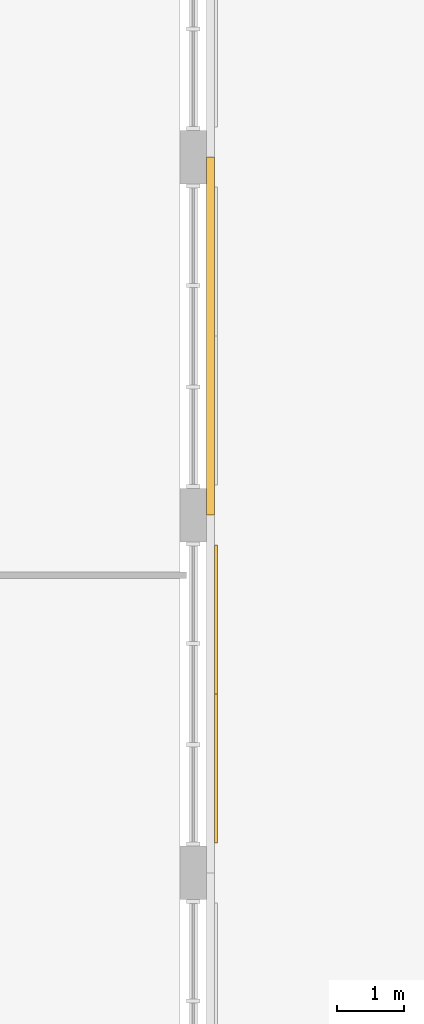
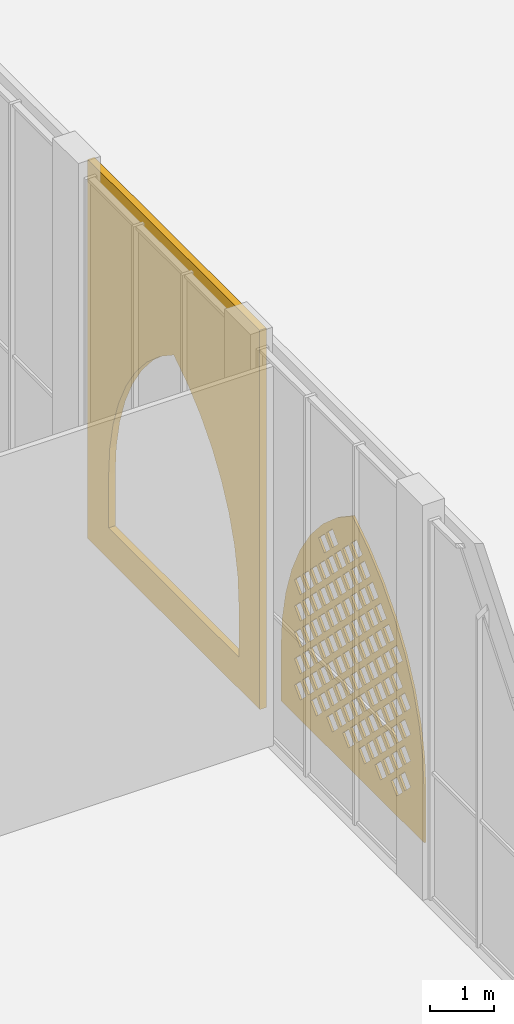
# One storey, part 68 of 79: 2 coverings.
"""IFC4 building model written with IfcOpenShell, lengths in metres."""

from ifc_helpers import new_model, si_unit, direction, frame, origin, place, context, subcontext, project, spatial, polyline, outline, extrude, material, layer, layer_set, type_object, element, save


model = new_model("IFC4")

# Units and contexts
model_context = context("Model", 3, precision=1e-05, world=origin(), true_north=direction((0.0, 1.0)))
body_context = subcontext(model_context, "Body", "Model", "MODEL_VIEW")
ifc_project = project(units=[si_unit("LENGTHUNIT", "METRE"), si_unit("AREAUNIT", "SQUARE_METRE"), si_unit("VOLUMEUNIT", "CUBIC_METRE"), si_unit("PLANEANGLEUNIT", "RADIAN"), si_unit("MASSUNIT", "GRAM", prefix="KILO")], contexts=[model_context])

# Site, building, storey
site_placement = place(None, origin())
site = spatial("IfcSite", under=ifc_project, at=site_placement, CompositionType="ELEMENT")
building_placement = place(site_placement, origin())
building = spatial("IfcBuilding", under=site, at=building_placement, Name="Noorbagh Ring Tower", CompositionType="ELEMENT")
storey_placement = place(building_placement, origin())
storey = spatial("IfcBuildingStorey", under=building, at=storey_placement, Name="L00", CompositionType="ELEMENT", Elevation=0.0)

# Coverings
ifc_material_1 = material(Name="Red sandstone jali", Category="masonry")
ifc_layer_1 = layer(ifc_material_1, 0.0400390625)
ifc_layer_set_1 = layer_set([ifc_layer_1], Name="Red sandstone jali")
covering_type_1 = type_object("IfcCoveringType", Name="STH-JALI", PredefinedType="USERDEFINED", material=ifc_layer_set_1)
covering_1_placement = place(storey_placement, frame((-94.840087890625, 14.800048828125, 0.39990234375), z_axis=(1.0, 0.0, 0.0), x_axis=(0.0, 1.0, 0.0)))
element("IfcCovering", 1, at=covering_1_placement, inside=storey, type_object=covering_type_1, Name="Jali screen", ObjectType="SCREEN", PredefinedType="USERDEFINED", context=body_context, shape_type="SweptSolid", body=[
    extrude(outline(polyline([(0.0, 0.0), (4.449951171875, 0.0), (4.449951171875, 1.0), (4.411865234375, 1.580810546875), (4.29833984375, 2.15185546875), (4.111328125, 2.702880859375), (3.853759765625, 3.22509765625), (3.5302734375, 3.708984375), (3.146484375, 4.146728515625), (2.708984375, 4.530517578125), (2.224853515625, 4.85400390625), (1.740966796875, 4.530517578125), (1.303466796875, 4.146728515625), (0.91943359375, 3.708984375), (0.59619140625, 3.22509765625), (0.338623046875, 2.702880859375), (0.151611328125, 2.15185546875), (0.0380859375, 1.580810546875), (0.0, 1.0), (0.0, 0.0)]), holes=[polyline([(0.669921875, 0.552001953125), (0.85009765625, 0.371826171875), (1.030029296875, 0.552001953125), (0.85009765625, 0.73193359375), (0.669921875, 0.552001953125)]), polyline([(1.169921875, 0.552001953125), (1.35009765625, 0.371826171875), (1.530029296875, 0.552001953125), (1.35009765625, 0.73193359375), (1.169921875, 0.552001953125)]), polyline([(1.669921875, 0.552001953125), (1.85009765625, 0.371826171875), (2.030029296875, 0.552001953125), (1.85009765625, 0.73193359375), (1.669921875, 0.552001953125)]), polyline([(2.169921875, 0.552001953125), (2.35009765625, 0.371826171875), (2.530029296875, 0.552001953125), (2.35009765625, 0.73193359375), (2.169921875, 0.552001953125)]), polyline([(2.669921875, 0.552001953125), (2.85009765625, 0.371826171875), (3.030029296875, 0.552001953125), (2.85009765625, 0.73193359375), (2.669921875, 0.552001953125)]), polyline([(3.169921875, 0.552001953125), (3.35009765625, 0.371826171875), (3.530029296875, 0.552001953125), (3.35009765625, 0.73193359375), (3.169921875, 0.552001953125)]), polyline([(3.669921875, 0.552001953125), (3.85009765625, 0.371826171875), (4.030029296875, 0.552001953125), (3.85009765625, 0.73193359375), (3.669921875, 0.552001953125)]), polyline([(0.419921875, 0.802001953125), (0.60009765625, 0.621826171875), (0.780029296875, 0.802001953125), (0.60009765625, 0.98193359375), (0.419921875, 0.802001953125)]), polyline([(0.919921875, 0.802001953125), (1.10009765625, 0.621826171875), (1.280029296875, 0.802001953125), (1.10009765625, 0.98193359375), (0.919921875, 0.802001953125)]), polyline([(1.419921875, 0.802001953125), (1.60009765625, 0.621826171875), (1.780029296875, 0.802001953125), (1.60009765625, 0.98193359375), (1.419921875, 0.802001953125)]), polyline([(1.919921875, 0.802001953125), (2.10009765625, 0.621826171875), (2.280029296875, 0.802001953125), (2.10009765625, 0.98193359375), (1.919921875, 0.802001953125)]), polyline([(2.419921875, 0.802001953125), (2.60009765625, 0.621826171875), (2.780029296875, 0.802001953125), (2.60009765625, 0.98193359375), (2.419921875, 0.802001953125)]), polyline([(2.919921875, 0.802001953125), (3.10009765625, 0.621826171875), (3.280029296875, 0.802001953125), (3.10009765625, 0.98193359375), (2.919921875, 0.802001953125)]), polyline([(3.419921875, 0.802001953125), (3.60009765625, 0.621826171875), (3.780029296875, 0.802001953125), (3.60009765625, 0.98193359375), (3.419921875, 0.802001953125)]), polyline([(0.669921875, 1.052001953125), (0.85009765625, 0.871826171875), (1.030029296875, 1.052001953125), (0.85009765625, 1.23193359375), (0.669921875, 1.052001953125)]), polyline([(1.169921875, 1.052001953125), (1.35009765625, 0.871826171875), (1.530029296875, 1.052001953125), (1.35009765625, 1.23193359375), (1.169921875, 1.052001953125)]), polyline([(1.669921875, 1.052001953125), (1.85009765625, 0.871826171875), (2.030029296875, 1.052001953125), (1.85009765625, 1.23193359375), (1.669921875, 1.052001953125)]), polyline([(2.169921875, 1.052001953125), (2.35009765625, 0.871826171875), (2.530029296875, 1.052001953125), (2.35009765625, 1.23193359375), (2.169921875, 1.052001953125)]), polyline([(2.669921875, 1.052001953125), (2.85009765625, 0.871826171875), (3.030029296875, 1.052001953125), (2.85009765625, 1.23193359375), (2.669921875, 1.052001953125)]), polyline([(3.169921875, 1.052001953125), (3.35009765625, 0.871826171875), (3.530029296875, 1.052001953125), (3.35009765625, 1.23193359375), (3.169921875, 1.052001953125)]), polyline([(3.669921875, 1.052001953125), (3.85009765625, 0.871826171875), (4.030029296875, 1.052001953125), (3.85009765625, 1.23193359375), (3.669921875, 1.052001953125)]), polyline([(0.419921875, 1.302001953125), (0.60009765625, 1.121826171875), (0.780029296875, 1.302001953125), (0.60009765625, 1.48193359375), (0.419921875, 1.302001953125)]), polyline([(0.919921875, 1.302001953125), (1.10009765625, 1.121826171875), (1.280029296875, 1.302001953125), (1.10009765625, 1.48193359375), (0.919921875, 1.302001953125)]), polyline([(1.419921875, 1.302001953125), (1.60009765625, 1.121826171875), (1.780029296875, 1.302001953125), (1.60009765625, 1.48193359375), (1.419921875, 1.302001953125)]), polyline([(1.919921875, 1.302001953125), (2.10009765625, 1.121826171875), (2.280029296875, 1.302001953125), (2.10009765625, 1.48193359375), (1.919921875, 1.302001953125)]), polyline([(2.419921875, 1.302001953125), (2.60009765625, 1.121826171875), (2.780029296875, 1.302001953125), (2.60009765625, 1.48193359375), (2.419921875, 1.302001953125)]), polyline([(2.919921875, 1.302001953125), (3.10009765625, 1.121826171875), (3.280029296875, 1.302001953125), (3.10009765625, 1.48193359375), (2.919921875, 1.302001953125)]), polyline([(3.419921875, 1.302001953125), (3.60009765625, 1.121826171875), (3.780029296875, 1.302001953125), (3.60009765625, 1.48193359375), (3.419921875, 1.302001953125)]), polyline([(0.669921875, 1.552001953125), (0.85009765625, 1.371826171875), (1.030029296875, 1.552001953125), (0.85009765625, 1.73193359375), (0.669921875, 1.552001953125)]), polyline([(1.169921875, 1.552001953125), (1.35009765625, 1.371826171875), (1.530029296875, 1.552001953125), (1.35009765625, 1.73193359375), (1.169921875, 1.552001953125)]), polyline([(1.669921875, 1.552001953125), (1.85009765625, 1.371826171875), (2.030029296875, 1.552001953125), (1.85009765625, 1.73193359375), (1.669921875, 1.552001953125)]), polyline([(2.169921875, 1.552001953125), (2.35009765625, 1.371826171875), (2.530029296875, 1.552001953125), (2.35009765625, 1.73193359375), (2.169921875, 1.552001953125)]), polyline([(2.669921875, 1.552001953125), (2.85009765625, 1.371826171875), (3.030029296875, 1.552001953125), (2.85009765625, 1.73193359375), (2.669921875, 1.552001953125)]), polyline([(3.169921875, 1.552001953125), (3.35009765625, 1.371826171875), (3.530029296875, 1.552001953125), (3.35009765625, 1.73193359375), (3.169921875, 1.552001953125)]), polyline([(3.669921875, 1.552001953125), (3.85009765625, 1.371826171875), (4.030029296875, 1.552001953125), (3.85009765625, 1.73193359375), (3.669921875, 1.552001953125)]), polyline([(0.419921875, 1.802001953125), (0.60009765625, 1.621826171875), (0.780029296875, 1.802001953125), (0.60009765625, 1.98193359375), (0.419921875, 1.802001953125)]), polyline([(0.919921875, 1.802001953125), (1.10009765625, 1.621826171875), (1.280029296875, 1.802001953125), (1.10009765625, 1.98193359375), (0.919921875, 1.802001953125)]), polyline([(1.419921875, 1.802001953125), (1.60009765625, 1.621826171875), (1.780029296875, 1.802001953125), (1.60009765625, 1.98193359375), (1.419921875, 1.802001953125)]), polyline([(1.919921875, 1.802001953125), (2.10009765625, 1.621826171875), (2.280029296875, 1.802001953125), (2.10009765625, 1.98193359375), (1.919921875, 1.802001953125)]), polyline([(2.419921875, 1.802001953125), (2.60009765625, 1.621826171875), (2.780029296875, 1.802001953125), (2.60009765625, 1.98193359375), (2.419921875, 1.802001953125)]), polyline([(2.919921875, 1.802001953125), (3.10009765625, 1.621826171875), (3.280029296875, 1.802001953125), (3.10009765625, 1.98193359375), (2.919921875, 1.802001953125)]), polyline([(3.419921875, 1.802001953125), (3.60009765625, 1.621826171875), (3.780029296875, 1.802001953125), (3.60009765625, 1.98193359375), (3.419921875, 1.802001953125)]), polyline([(0.669921875, 2.052001953125), (0.85009765625, 1.871826171875), (1.030029296875, 2.052001953125), (0.85009765625, 2.23193359375), (0.669921875, 2.052001953125)]), polyline([(1.169921875, 2.052001953125), (1.35009765625, 1.871826171875), (1.530029296875, 2.052001953125), (1.35009765625, 2.23193359375), (1.169921875, 2.052001953125)]), polyline([(1.669921875, 2.052001953125), (1.85009765625, 1.871826171875), (2.030029296875, 2.052001953125), (1.85009765625, 2.23193359375), (1.669921875, 2.052001953125)]), polyline([(2.169921875, 2.052001953125), (2.35009765625, 1.871826171875), (2.530029296875, 2.052001953125), (2.35009765625, 2.23193359375), (2.169921875, 2.052001953125)]), polyline([(2.669921875, 2.052001953125), (2.85009765625, 1.871826171875), (3.030029296875, 2.052001953125), (2.85009765625, 2.23193359375), (2.669921875, 2.052001953125)]), polyline([(3.169921875, 2.052001953125), (3.35009765625, 1.871826171875), (3.530029296875, 2.052001953125), (3.35009765625, 2.23193359375), (3.169921875, 2.052001953125)]), polyline([(3.669921875, 2.052001953125), (3.85009765625, 1.871826171875), (4.030029296875, 2.052001953125), (3.85009765625, 2.23193359375), (3.669921875, 2.052001953125)]), polyline([(0.419921875, 2.302001953125), (0.60009765625, 2.121826171875), (0.780029296875, 2.302001953125), (0.60009765625, 2.48193359375), (0.419921875, 2.302001953125)]), polyline([(0.919921875, 2.302001953125), (1.10009765625, 2.121826171875), (1.280029296875, 2.302001953125), (1.10009765625, 2.48193359375), (0.919921875, 2.302001953125)]), polyline([(1.419921875, 2.302001953125), (1.60009765625, 2.121826171875), (1.780029296875, 2.302001953125), (1.60009765625, 2.48193359375), (1.419921875, 2.302001953125)]), polyline([(1.919921875, 2.302001953125), (2.10009765625, 2.121826171875), (2.280029296875, 2.302001953125), (2.10009765625, 2.48193359375), (1.919921875, 2.302001953125)]), polyline([(2.419921875, 2.302001953125), (2.60009765625, 2.121826171875), (2.780029296875, 2.302001953125), (2.60009765625, 2.48193359375), (2.419921875, 2.302001953125)]), polyline([(2.919921875, 2.302001953125), (3.10009765625, 2.121826171875), (3.280029296875, 2.302001953125), (3.10009765625, 2.48193359375), (2.919921875, 2.302001953125)]), polyline([(3.419921875, 2.302001953125), (3.60009765625, 2.121826171875), (3.780029296875, 2.302001953125), (3.60009765625, 2.48193359375), (3.419921875, 2.302001953125)]), polyline([(0.669921875, 2.552001953125), (0.85009765625, 2.371826171875), (1.030029296875, 2.552001953125), (0.85009765625, 2.73193359375), (0.669921875, 2.552001953125)]), polyline([(1.169921875, 2.552001953125), (1.35009765625, 2.371826171875), (1.530029296875, 2.552001953125), (1.35009765625, 2.73193359375), (1.169921875, 2.552001953125)]), polyline([(1.669921875, 2.552001953125), (1.85009765625, 2.371826171875), (2.030029296875, 2.552001953125), (1.85009765625, 2.73193359375), (1.669921875, 2.552001953125)]), polyline([(2.169921875, 2.552001953125), (2.35009765625, 2.371826171875), (2.530029296875, 2.552001953125), (2.35009765625, 2.73193359375), (2.169921875, 2.552001953125)]), polyline([(2.669921875, 2.552001953125), (2.85009765625, 2.371826171875), (3.030029296875, 2.552001953125), (2.85009765625, 2.73193359375), (2.669921875, 2.552001953125)]), polyline([(3.169921875, 2.552001953125), (3.35009765625, 2.371826171875), (3.530029296875, 2.552001953125), (3.35009765625, 2.73193359375), (3.169921875, 2.552001953125)]), polyline([(3.669921875, 2.552001953125), (3.85009765625, 2.371826171875), (4.030029296875, 2.552001953125), (3.85009765625, 2.73193359375), (3.669921875, 2.552001953125)]), polyline([(0.919921875, 2.802001953125), (1.10009765625, 2.621826171875), (1.280029296875, 2.802001953125), (1.10009765625, 2.98193359375), (0.919921875, 2.802001953125)]), polyline([(1.419921875, 2.802001953125), (1.60009765625, 2.621826171875), (1.780029296875, 2.802001953125), (1.60009765625, 2.98193359375), (1.419921875, 2.802001953125)]), polyline([(1.919921875, 2.802001953125), (2.10009765625, 2.621826171875), (2.280029296875, 2.802001953125), (2.10009765625, 2.98193359375), (1.919921875, 2.802001953125)]), polyline([(2.419921875, 2.802001953125), (2.60009765625, 2.621826171875), (2.780029296875, 2.802001953125), (2.60009765625, 2.98193359375), (2.419921875, 2.802001953125)]), polyline([(2.919921875, 2.802001953125), (3.10009765625, 2.621826171875), (3.280029296875, 2.802001953125), (3.10009765625, 2.98193359375), (2.919921875, 2.802001953125)]), polyline([(3.419921875, 2.802001953125), (3.60009765625, 2.621826171875), (3.780029296875, 2.802001953125), (3.60009765625, 2.98193359375), (3.419921875, 2.802001953125)]), polyline([(0.669921875, 3.052001953125), (0.85009765625, 2.871826171875), (1.030029296875, 3.052001953125), (0.85009765625, 3.23193359375), (0.669921875, 3.052001953125)]), polyline([(1.169921875, 3.052001953125), (1.35009765625, 2.871826171875), (1.530029296875, 3.052001953125), (1.35009765625, 3.23193359375), (1.169921875, 3.052001953125)]), polyline([(1.669921875, 3.052001953125), (1.85009765625, 2.871826171875), (2.030029296875, 3.052001953125), (1.85009765625, 3.23193359375), (1.669921875, 3.052001953125)]), polyline([(2.169921875, 3.052001953125), (2.35009765625, 2.871826171875), (2.530029296875, 3.052001953125), (2.35009765625, 3.23193359375), (2.169921875, 3.052001953125)]), polyline([(2.669921875, 3.052001953125), (2.85009765625, 2.871826171875), (3.030029296875, 3.052001953125), (2.85009765625, 3.23193359375), (2.669921875, 3.052001953125)]), polyline([(3.169921875, 3.052001953125), (3.35009765625, 2.871826171875), (3.530029296875, 3.052001953125), (3.35009765625, 3.23193359375), (3.169921875, 3.052001953125)]), polyline([(0.919921875, 3.302001953125), (1.10009765625, 3.121826171875), (1.280029296875, 3.302001953125), (1.10009765625, 3.48193359375), (0.919921875, 3.302001953125)]), polyline([(1.419921875, 3.302001953125), (1.60009765625, 3.121826171875), (1.780029296875, 3.302001953125), (1.60009765625, 3.48193359375), (1.419921875, 3.302001953125)]), polyline([(1.919921875, 3.302001953125), (2.10009765625, 3.121826171875), (2.280029296875, 3.302001953125), (2.10009765625, 3.48193359375), (1.919921875, 3.302001953125)]), polyline([(2.419921875, 3.302001953125), (2.60009765625, 3.121826171875), (2.780029296875, 3.302001953125), (2.60009765625, 3.48193359375), (2.419921875, 3.302001953125)]), polyline([(2.919921875, 3.302001953125), (3.10009765625, 3.121826171875), (3.280029296875, 3.302001953125), (3.10009765625, 3.48193359375), (2.919921875, 3.302001953125)]), polyline([(1.169921875, 3.552001953125), (1.35009765625, 3.371826171875), (1.530029296875, 3.552001953125), (1.35009765625, 3.73193359375), (1.169921875, 3.552001953125)]), polyline([(1.669921875, 3.552001953125), (1.85009765625, 3.371826171875), (2.030029296875, 3.552001953125), (1.85009765625, 3.73193359375), (1.669921875, 3.552001953125)]), polyline([(2.169921875, 3.552001953125), (2.35009765625, 3.371826171875), (2.530029296875, 3.552001953125), (2.35009765625, 3.73193359375), (2.169921875, 3.552001953125)]), polyline([(2.669921875, 3.552001953125), (2.85009765625, 3.371826171875), (3.030029296875, 3.552001953125), (2.85009765625, 3.73193359375), (2.669921875, 3.552001953125)]), polyline([(1.419921875, 3.802001953125), (1.60009765625, 3.621826171875), (1.780029296875, 3.802001953125), (1.60009765625, 3.98193359375), (1.419921875, 3.802001953125)]), polyline([(1.919921875, 3.802001953125), (2.10009765625, 3.621826171875), (2.280029296875, 3.802001953125), (2.10009765625, 3.98193359375), (1.919921875, 3.802001953125)]), polyline([(2.419921875, 3.802001953125), (2.60009765625, 3.621826171875), (2.780029296875, 3.802001953125), (2.60009765625, 3.98193359375), (2.419921875, 3.802001953125)]), polyline([(2.919921875, 3.802001953125), (3.10009765625, 3.621826171875), (3.280029296875, 3.802001953125), (3.10009765625, 3.98193359375), (2.919921875, 3.802001953125)]), polyline([(1.669921875, 4.052001953125), (1.85009765625, 3.871826171875), (2.030029296875, 4.052001953125), (1.85009765625, 4.23193359375), (1.669921875, 4.052001953125)]), polyline([(2.169921875, 4.052001953125), (2.35009765625, 3.871826171875), (2.530029296875, 4.052001953125), (2.35009765625, 4.23193359375), (2.169921875, 4.052001953125)]), polyline([(2.669921875, 4.052001953125), (2.85009765625, 3.871826171875), (3.030029296875, 4.052001953125), (2.85009765625, 4.23193359375), (2.669921875, 4.052001953125)]), polyline([(1.919921875, 4.302001953125), (2.10009765625, 4.121826171875), (2.280029296875, 4.302001953125), (2.10009765625, 4.48193359375), (1.919921875, 4.302001953125)])]), origin(), (0.0, 0.0, -1.0), 0.0400390625),
])
ifc_material_2 = material(Name="Red sandstone cladding", Category="masonry")
ifc_layer_2 = layer(ifc_material_2, 0.1201171875)
ifc_layer_set_2 = layer_set([ifc_layer_2], Name="Red sandstone cladding")
covering_type_2 = type_object("IfcCoveringType", Name="STH-SPANDREL", PredefinedType="USERDEFINED", material=ifc_layer_set_2)
covering_2_placement = place(storey_placement, frame((-94.8798828125, 19.699951171875, 0.0), z_axis=(1.0, 0.0, 0.0), x_axis=(0.0, 1.0, 0.0)))
element("IfcCovering", 2, at=covering_2_placement, inside=storey, type_object=covering_type_2, Name="Arch spandrel", ObjectType="ARCH", PredefinedType="USERDEFINED", context=body_context, shape_type="SweptSolid", body=[
    extrude(outline(polyline([(0.0, 0.0), (5.35009765625, 0.0), (5.35009765625, 7.199951171875), (0.0, 7.199951171875), (0.0, 0.0)]), holes=[polyline([(0.64990234375, 0.60009765625), (0.64990234375, 1.60009765625), (0.6845703125, 2.128662109375), (0.7880859375, 2.648193359375), (0.958251953125, 3.14990234375), (1.192626953125, 3.625), (1.48681640625, 4.0654296875), (1.836181640625, 4.4638671875), (2.234619140625, 4.81298828125), (2.675048828125, 5.107421875), (3.115478515625, 4.81298828125), (3.513916015625, 4.4638671875), (3.863037109375, 4.0654296875), (4.157470703125, 3.625), (4.3916015625, 3.14990234375), (4.56201171875, 2.648193359375), (4.665283203125, 2.128662109375), (4.699951171875, 1.60009765625), (4.699951171875, 0.60009765625), (0.64990234375, 0.60009765625)])]), origin(), (0.0, 0.0, -1.0), 0.1201171875),
])

save(model, "model.ifc")
